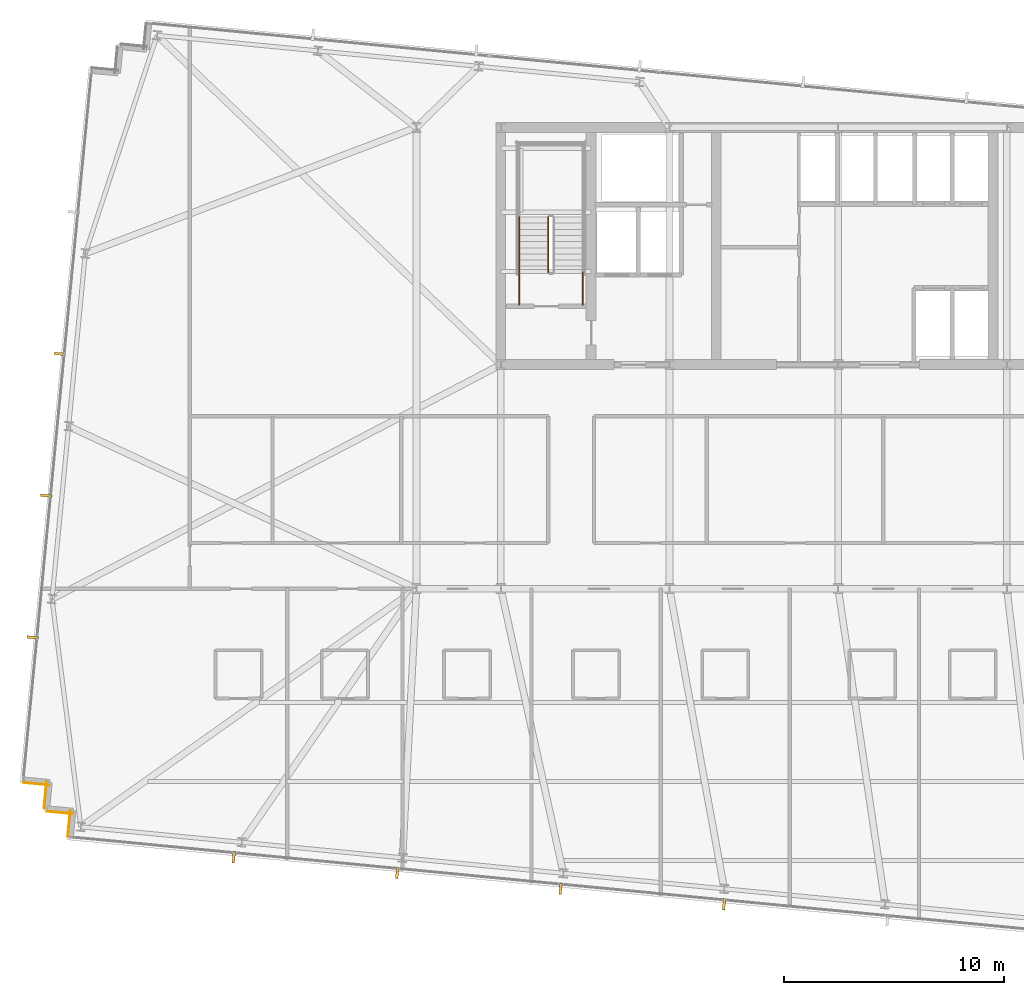
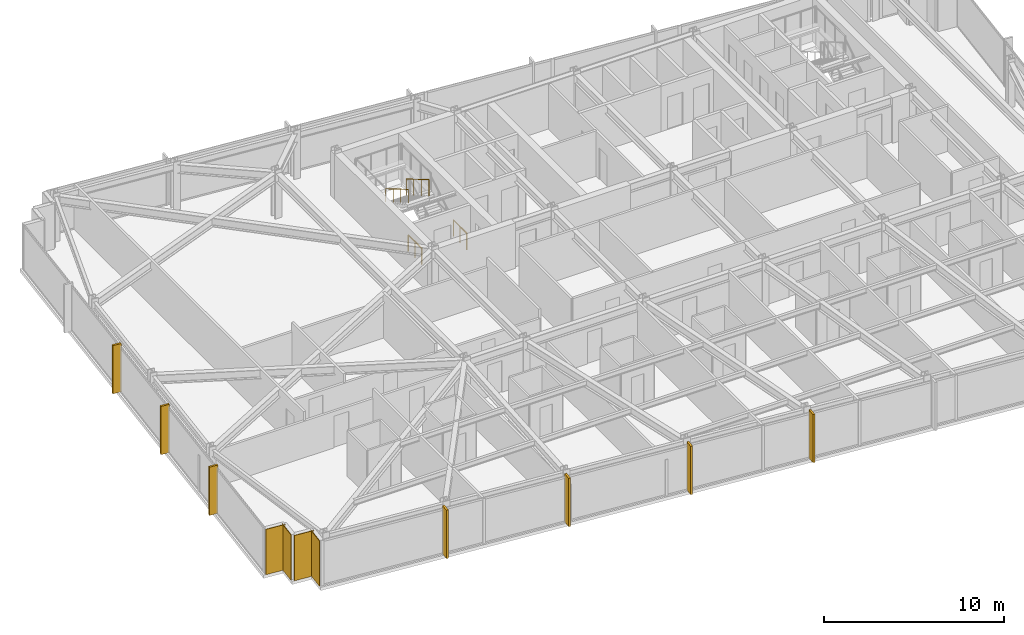
# One storey, part 33 of 37: 7 shading devices, 4 coverings, 4 railings.
"""IFC4 building model written with IfcOpenShell, lengths in metres."""

from ifc_helpers import new_model, si_unit, direction, frame, frame_2d, origin, origin_2d, place, context, subcontext, project, spatial, rectangle, circle, extrude, material, layer, layer_set, type_object, element, save


model = new_model("IFC4")

# Units and contexts
model_context = context("Model", 3, precision=1e-05, world=origin(), true_north=direction((0.0, 1.0)))
body_context = subcontext(model_context, "Body", "Model", "MODEL_VIEW")
ifc_project = project(units=[si_unit("LENGTHUNIT", "METRE"), si_unit("AREAUNIT", "SQUARE_METRE"), si_unit("VOLUMEUNIT", "CUBIC_METRE"), si_unit("PLANEANGLEUNIT", "RADIAN"), si_unit("MASSUNIT", "GRAM", prefix="KILO")], contexts=[model_context])

# Site, building, storey
site_placement = place(None, origin())
site = spatial("IfcSite", under=ifc_project, at=site_placement, CompositionType="ELEMENT")
building_placement = place(site_placement, origin())
building = spatial("IfcBuilding", under=site, at=building_placement, Name="Yelkora Congress Tower", CompositionType="ELEMENT")
storey_placement = place(building_placement, frame((0.0, 0.0, 162.199951171875)))
storey = spatial("IfcBuildingStorey", under=building, at=storey_placement, Name="L44", CompositionType="ELEMENT", Elevation=162.199951171875)

# Coverings
ifc_material_1 = material(Name="Anatolian bush-hammered limestone", Category="masonry")
ifc_layer_1 = layer(ifc_material_1, 0.0400390625)
ifc_layer_set_1 = layer_set([ifc_layer_1], Name="Anatolian bush-hammered limestone")
covering_type = type_object("IfcCoveringType", Name="COV-CLAD-SPANDREL-40", PredefinedType="CLADDING", material=ifc_layer_set_1)
covering_1_placement = place(storey_placement, frame((3.327880859375, 13.90185546875, 0.0), z_axis=(0.0, 0.0, 1.0), x_axis=(0.095817067274, 0.995398960025, 0.0)))
element("IfcCovering", 1, at=covering_1_placement, inside=storey, type_object=covering_type, Name="L44 Anatolian Limestone Cladding EW-L44-SR01", PredefinedType="CLADDING", context=body_context, shape_type="SweptSolid", body=[
    extrude(rectangle(XDim=1.2001953125, YDim=0.0400390625, at=frame_2d((0.60009765625, 0.0))), origin(), (0.0, 0.0, 1.0), 3.080078125),
])
covering_2_placement = place(storey_placement, frame((3.564208984375, 14.94921875, 0.0), z_axis=(0.0, 0.0, 1.0), x_axis=(-0.995397091755, 0.095836473879, 0.0)))
element("IfcCovering", 2, at=covering_2_placement, inside=storey, type_object=covering_type, Name="L44 Anatolian Limestone Cladding EW-L44-SR02", PredefinedType="CLADDING", context=body_context, shape_type="SweptSolid", body=[
    extrude(rectangle(XDim=1.199951171875, YDim=0.0400390625, at=frame_2d((0.60009765625, 0.0))), origin(), (0.0, 0.0, 1.0), 3.080078125),
])
for number, where, z_axis, x_axis, name in (
    (3, (2.248291015625, 15.21142578125, 0.0), (0.0, 0.0, 1.0), (0.095817067274, 0.995398960025, 0.0), "L44 Anatolian Limestone Cladding EW-L44-SR03"),
    (4, (2.48486328125, 16.258544921875, 0.0), (0.0, 0.0, 1.0), (-0.995398960025, 0.095817067274, 0.0), "L44 Anatolian Limestone Cladding EW-L44-SR04"),
):
    element("IfcCovering", number, at=place(storey_placement, frame(where, z_axis=z_axis, x_axis=x_axis)), inside=storey, type_object=covering_type, Name=name, PredefinedType="CLADDING", context=body_context, shape_type="SweptSolid", body=[
        extrude(rectangle(XDim=1.2001953125, YDim=0.0400390625, at=frame_2d((0.60009765625, 0.0))), origin(), (0.0, 0.0, 1.0), 3.080078125),
    ])

# Railings
ifc_material_2 = material(Name="Painted galvanised steel stair well guard with vertical infill", Category="steel")
ifc_layer_2 = layer(ifc_material_2, 0.06005859375)
ifc_layer_set_2 = layer_set([ifc_layer_2], Name="Painted galvanised steel stair well guard with vertical infill")
railing_type_1 = type_object("IfcRailingType", Name="RAIL-STAIR-GUARD-1120", PredefinedType="GUARDRAIL", material=ifc_layer_set_2)
railing_1_placement = place(storey_placement, frame((25.18994140625, 42.1201171875, 1.81494140625)))
element("IfcRailing", 5, at=railing_1_placement, inside=storey, type_object=railing_type_1, Name="ST-01 L44 Stair Well Guardrail 6", PredefinedType="GUARDRAIL", context=body_context, shape_type="SweptSolid", body=[
    extrude(circle(Radius=0.02392578125, at=origin_2d()), frame((0.0, 0.0, 1.09619140625), z_axis=(0.0, -0.86152411907, 0.507716645641), x_axis=(1.0, 0.0, 0.0)), (0.0, 0.0, 1.0), 2.925048828125),
    extrude(circle(Radius=0.02099609375, at=origin_2d()), origin(), (0.0, 0.0, 1.0), 1.072021484375),
    extrude(circle(Radius=0.02099609375, at=origin_2d()), frame((0.0, -0.840087890625, 0.4951171875)), (0.0, 0.0, 1.0), 1.072021484375),
    extrude(circle(Radius=0.02099609375, at=origin_2d()), frame((0.0, -1.679931640625, 0.989990234375)), (0.0, 0.0, 1.0), 1.072021484375),
    extrude(circle(Radius=0.02099609375, at=origin_2d()), frame((0.0, -2.52001953125, 1.485107421875)), (0.0, 0.0, 1.0), 1.072021484375),
])
for number, where, name in (
    (6, (26.77001953125, 38.1201171875, 0.0), "ST-01 L44 Stair Well Guardrail 8"),
    (7, (23.8701171875, 38.1201171875, 0.0), "ST-01 L44 Stair Well Guardrail 9"),
):
    element("IfcRailing", number, at=place(storey_placement, frame(where)), inside=storey, type_object=railing_type_1, Name=name, PredefinedType="GUARDRAIL", context=body_context, shape_type="SweptSolid", body=[
        extrude(circle(Radius=0.02392578125, at=origin_2d()), frame((0.0, 0.0, 1.09619140625), z_axis=(0.0, 1.0, 0.0), x_axis=(-1.0, 0.0, 0.0)), (0.0, 0.0, 1.0), 1.47998046875),
        extrude(circle(Radius=0.02099609375, at=origin_2d()), origin(), (0.0, 0.0, 1.0), 1.072021484375),
        extrude(circle(Radius=0.02099609375, at=origin_2d()), frame((0.0, 0.739990234375, 0.0)), (0.0, 0.0, 1.0), 1.072021484375),
        extrude(circle(Radius=0.02099609375, at=origin_2d()), frame((0.0, 1.47998046875, 0.0)), (0.0, 0.0, 1.0), 1.072021484375),
    ])
ifc_material_3 = material(Name="Brushed stainless steel tubular handrail", Category="steel")
ifc_layer_3 = layer(ifc_material_3, 0.050048828125)
ifc_layer_set_3 = layer_set([ifc_layer_3], Name="Brushed stainless steel tubular handrail")
railing_type_2 = type_object("IfcRailingType", Name="RAIL-STAIR-HAND-920", PredefinedType="HANDRAIL", material=ifc_layer_set_3)
railing_2_placement = place(storey_placement, frame((23.8701171875, 42.1201171875, 1.81494140625)))
element("IfcRailing", 8, at=railing_2_placement, inside=storey, type_object=railing_type_2, Name="ST-01 L44 Pitch Handrail 2", PredefinedType="HANDRAIL", context=body_context, shape_type="SweptSolid", body=[
    extrude(circle(Radius=0.02392578125, at=origin_2d()), frame((0.0, 0.0, 0.89599609375), z_axis=(0.0, -0.86152411907, 0.507716645641), x_axis=(1.0, 0.0, 0.0)), (0.0, 0.0, 1.0), 2.925048828125),
    extrude(circle(Radius=0.02099609375, at=origin_2d()), origin(), (0.0, 0.0, 1.0), 0.871826171875),
    extrude(circle(Radius=0.02099609375, at=origin_2d()), frame((0.0, -0.840087890625, 0.4951171875)), (0.0, 0.0, 1.0), 0.871826171875),
    extrude(circle(Radius=0.02099609375, at=origin_2d()), frame((0.0, -1.679931640625, 0.989990234375)), (0.0, 0.0, 1.0), 0.871826171875),
    extrude(circle(Radius=0.02099609375, at=origin_2d()), frame((0.0, -2.52001953125, 1.485107421875)), (0.0, 0.0, 1.0), 0.871826171875),
])

# Shading devices
ifc_material_4 = material(Name="Champagne anodised aluminium", Category="aluminium")
ifc_layer_4 = layer(ifc_material_4, 3.300048828125)
ifc_layer_set_4 = layer_set([ifc_layer_4], Name="Champagne anodised aluminium")
shading_device_type = type_object("IfcShadingDeviceType", Name="SHD-FIN-ALU-520", PredefinedType="USERDEFINED", material=ifc_layer_set_4)
for number, where, z_axis, x_axis, name in (
    (9, (1.7255859375, 22.981201171875, -0.02978515625), (0.0, 0.0, 1.0), (0.09584575252, 0.995396198367, 0.0), "L44 Vertical Anodised Solar Fin 5-1"),
    (10, (2.34716796875, 29.435302734375, -0.02978515625), (0.0, 0.0, 1.0), (0.09584575252, 0.995396198367, 0.0), "L44 Vertical Anodised Solar Fin 5-2"),
    (11, (2.968505859375, 35.889404296875, -0.02978515625), (0.0, 0.0, 1.0), (0.09584575252, 0.995396198367, 0.0), "L44 Vertical Anodised Solar Fin 5-3"),
    (12, (33.202392578125, 10.82421875, -0.02978515625), (0.0, 0.0, 1.0), (-0.995396198367, 0.09584575252, 0.0), "L44 Vertical Anodised Solar Fin 20-3"),
    (13, (25.7626953125, 11.540771484375, -0.02978515625), (0.0, 0.0, 1.0), (-0.995396198367, 0.09584575252, 0.0), "L44 Vertical Anodised Solar Fin 20-4"),
    (14, (18.32275390625, 12.257080078125, -0.02978515625), (0.0, 0.0, 1.0), (-0.995396198367, 0.09584575252, 0.0), "L44 Vertical Anodised Solar Fin 20-5"),
    (15, (10.8828125, 12.973388671875, -0.02978515625), (0.0, 0.0, 1.0), (-0.995396198367, 0.09584575252, 0.0), "L44 Vertical Anodised Solar Fin 20-6"),
):
    element("IfcShadingDevice", number, at=place(storey_placement, frame(where, z_axis=z_axis, x_axis=x_axis)), inside=storey, type_object=shading_device_type, Name=name, ObjectType="FIN", PredefinedType="USERDEFINED", context=body_context, shape_type="SweptSolid", body=[
        extrude(rectangle(XDim=0.1201171875, YDim=0.52001953125, at=origin_2d()), origin(), (0.0, 0.0, 1.0), 3.280029296875),
    ])

save(model, "model.ifc")
